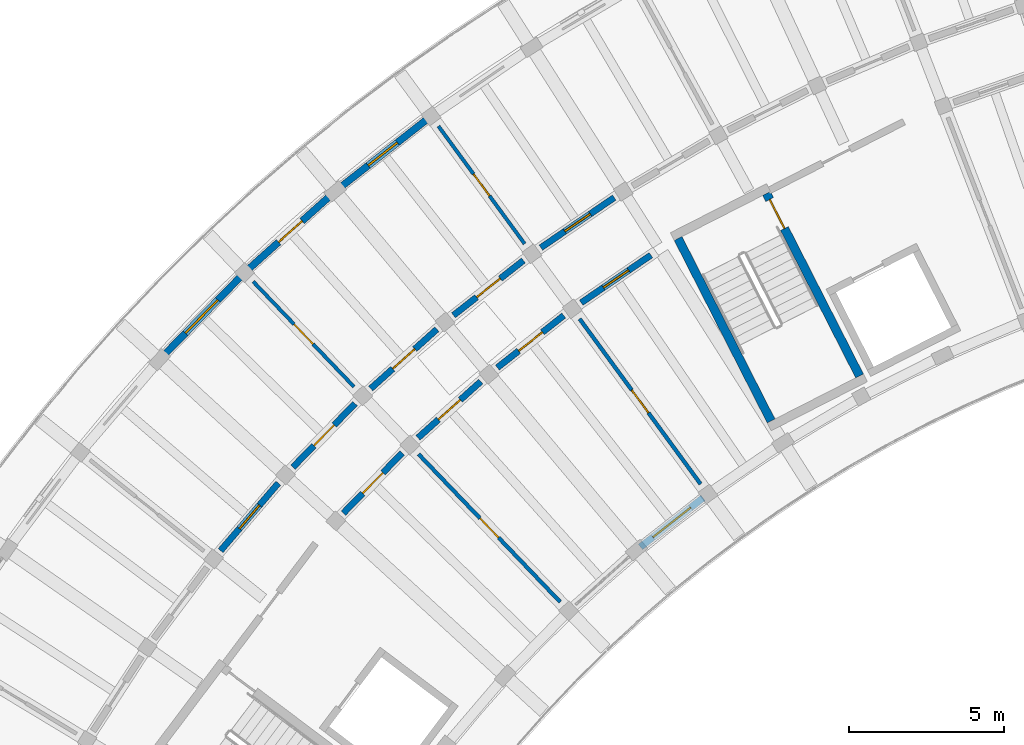
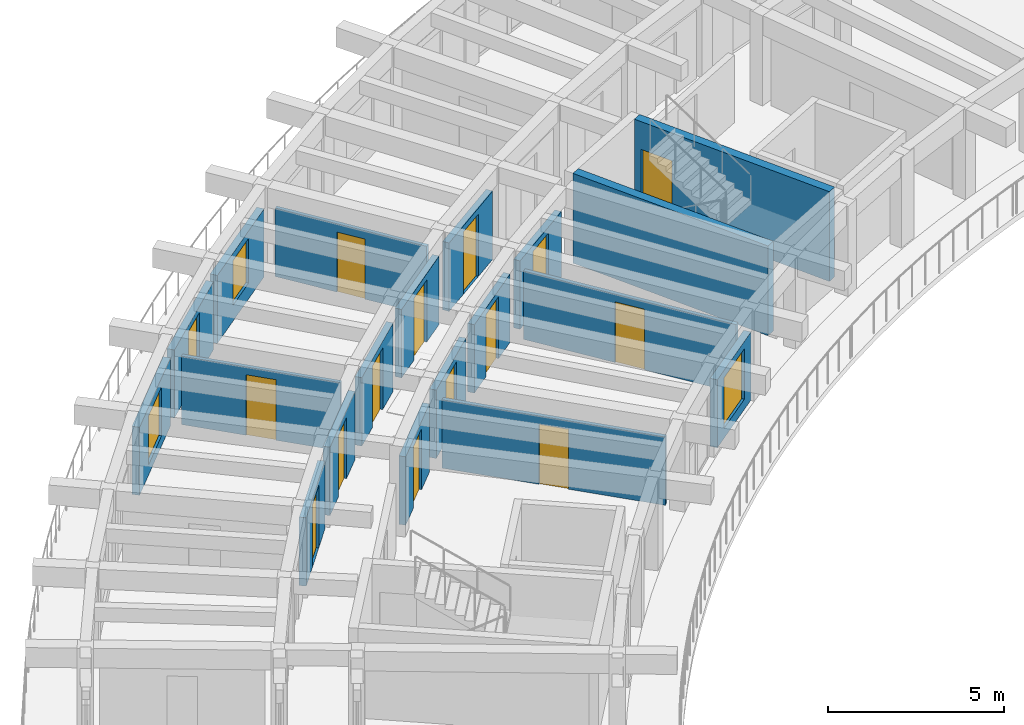
# One storey, part 10 of 19: 19 walls, 15 doors, 3 windows, 18 openings.
"""IFC4 building model written with IfcOpenShell, lengths in metres."""

from ifc_helpers import new_model, si_unit, direction, frame, frame_2d, origin, place, context, subcontext, project, spatial, rectangle, extrude, material, layer, layer_set, type_object, element, fill, save


model = new_model("IFC4")

# Units and contexts
model_context = context("Model", 3, precision=1e-05, world=origin(), true_north=direction((0.0, 1.0)))
body_context = subcontext(model_context, "Body", "Model", "MODEL_VIEW")
ifc_project = project(units=[si_unit("LENGTHUNIT", "METRE"), si_unit("AREAUNIT", "SQUARE_METRE"), si_unit("VOLUMEUNIT", "CUBIC_METRE"), si_unit("PLANEANGLEUNIT", "RADIAN"), si_unit("MASSUNIT", "GRAM", prefix="KILO")], contexts=[model_context])

# Site, building, storey
site_placement = place(None, origin())
site = spatial("IfcSite", under=ifc_project, at=site_placement, CompositionType="ELEMENT")
building_placement = place(site_placement, origin())
building = spatial("IfcBuilding", under=site, at=building_placement, Name="Tanwirah Colonnade Gardens", CompositionType="ELEMENT")
storey_placement = place(building_placement, frame((0.0, 0.0, 45.800048828125)))
storey = spatial("IfcBuildingStorey", under=building, at=storey_placement, Name="L13", CompositionType="ELEMENT", Elevation=45.800048828125)

# Wall, opening, window
ifc_material_1 = material(Name="Limestone architectural precast concrete C40/50", Category="masonry")
ifc_layer_1 = layer(ifc_material_1, 0.22509765625)
ifc_layer_set_1 = layer_set([ifc_layer_1], Name="Limestone architectural precast concrete C40/50")
wall_type_1 = type_object("IfcWallType", Name="EW-PC225", PredefinedType="SOLIDWALL", material=ifc_layer_set_1)
wall_1_placement = place(storey_placement, frame((29.6533203125, 108.117431640625, 0.0), z_axis=(0.0, 0.0, 1.0), x_axis=(-0.786786822338, -0.617224834396, 0.0)))
wall_1 = element("IfcWall", 1, at=wall_1_placement, inside=storey, type_object=wall_type_1, Name="Block A L13 OUT Precast Facade Wall 8", PredefinedType="SOLIDWALL", context=body_context, shape_type="SweptSolid", body=[
    extrude(rectangle(XDim=3.560791015625, YDim=0.22509765625, at=frame_2d((1.7802734375, 0.0))), origin(), (0.0, 0.0, 1.0), 2.35498046875),
])
opening_1_placement = place(wall_1_placement, frame((1.180419921875, 0.0, 0.550048828125)))
opening_1 = element("IfcOpeningElement", 2, at=opening_1_placement, cuts=wall_1, Name="Opening WIN-T02", PredefinedType="OPENING", context=body_context, shape_type="SweptSolid", body=[
    extrude(rectangle(XDim=1.199951171875, YDim=1.550048828125, at=frame_2d((0.60009765625, 0.77490234375))), frame((0.0, 0.12255859375, 0.0), z_axis=(0.0, -1.0, 0.0), x_axis=(1.0, 0.0, 0.0)), (0.0, 0.0, 1.0), 0.2451171875),
])
ifc_material_2 = material(Name="Thermally broken bronze aluminium and solar low-E double glazing", Category="aluminium")
window_type_1 = type_object("IfcWindowType", Name="WIN-T02", PartitioningType="SINGLE_PANEL", PredefinedType="WINDOW", material=ifc_material_2)
window_1_placement = place(opening_1_placement, origin())
window_1 = element("IfcWindow", 3, at=window_1_placement, inside=storey, type_object=window_type_1, Name="Facade window A-L13-OUT-08", OverallHeight=1.550048828125, OverallWidth=1.199951171875, PartitioningType="SINGLE_PANEL", PredefinedType="WINDOW", context=body_context, shape_type="SweptSolid", body=[
    extrude(rectangle(XDim=1.199951171875, YDim=1.550048828125, at=frame_2d((0.60009765625, 0.77490234375))), frame((0.0, 0.030029296875, 0.0), z_axis=(0.0, -1.0, 0.0), x_axis=(1.0, 0.0, 0.0)), (0.0, 0.0, 1.0), 0.06005859375),
])
fill(opening_1, window_1)

wall_2_placement = place(storey_placement, frame((38.576416015625, 95.935791015625, 0.0), z_axis=(0.0, 0.0, 1.0), x_axis=(-0.786839825132, -0.617157264874, 0.0)))
wall_2 = element("IfcWall", 4, at=wall_2_placement, inside=storey, type_object=wall_type_1, Name="Block A L13 IN Precast Facade Wall 8", PredefinedType="SOLIDWALL", context=body_context, shape_type="SweptSolid", body=[
    extrude(rectangle(XDim=2.5654296875, YDim=0.22509765625, at=frame_2d((1.28271484375, 0.0))), origin(), (0.0, 0.0, 1.0), 2.35498046875),
])
opening_2_placement = place(wall_2_placement, frame((0.507568359375, 0.0, 0.35009765625)))
opening_2 = element("IfcOpeningElement", 5, at=opening_2_placement, cuts=wall_2, Name="Opening WIN-T09", PredefinedType="OPENING", context=body_context, shape_type="SweptSolid", body=[
    extrude(rectangle(XDim=1.550048828125, YDim=1.75, at=frame_2d((0.77490234375, 0.875))), frame((0.0, 0.12255859375, 0.0), z_axis=(0.0, -1.0, 0.0), x_axis=(1.0, 0.0, 0.0)), (0.0, 0.0, 1.0), 0.2451171875),
])
window_type_2 = type_object("IfcWindowType", Name="WIN-T09", PartitioningType="DOUBLE_PANEL_VERTICAL", PredefinedType="WINDOW", material=ifc_material_2)
window_2_placement = place(opening_2_placement, origin())
window_2 = element("IfcWindow", 6, at=window_2_placement, inside=storey, type_object=window_type_2, Name="Facade window A-L13-IN-08", OverallHeight=1.75, OverallWidth=1.550048828125, PartitioningType="SINGLE_PANEL", PredefinedType="WINDOW", context=body_context, shape_type="SweptSolid", body=[
    extrude(rectangle(XDim=1.550048828125, YDim=1.75, at=frame_2d((0.77490234375, 0.875))), frame((0.0, 0.030029296875, 0.0), z_axis=(0.0, -1.0, 0.0), x_axis=(1.0, 0.0, 0.0)), (0.0, 0.0, 1.0), 0.06005859375),
])
fill(opening_2, window_2)

# Wall, opening, door
wall_3_placement = place(storey_placement, frame((26.59912109375, 105.707763671875, 0.0), z_axis=(0.0, 0.0, 1.0), x_axis=(-0.744428403578, -0.667702292902, 0.0)))
wall_3 = element("IfcWall", 7, at=wall_3_placement, inside=storey, type_object=wall_type_1, Name="Block A L13 OUT Precast Facade Wall 9", PredefinedType="SOLIDWALL", context=body_context, shape_type="SweptSolid", body=[
    extrude(rectangle(XDim=3.560546875, YDim=0.22509765625, at=frame_2d((1.7802734375, 0.0))), origin(), (0.0, 0.0, 1.0), 2.35498046875),
])
opening_3_placement = place(wall_3_placement, frame((1.2705078125, 0.0, 0.0)))
opening_3 = element("IfcOpeningElement", 8, at=opening_3_placement, cuts=wall_3, Name="Opening L13-ED062", PredefinedType="OPENING", context=body_context, shape_type="SweptSolid", body=[
    extrude(rectangle(XDim=1.02001953125, YDim=2.139892578125, at=frame_2d((0.510009765625, 1.06982421875))), frame((0.0, 0.12255859375, 0.0), z_axis=(0.0, -1.0, 0.0), x_axis=(1.0, 0.0, 0.0)), (0.0, 0.0, 1.0), 0.2451171875),
])
ifc_material_3 = material(Name="Bronze aluminium glazed balcony door", Category="aluminium")
door_type_1 = type_object("IfcDoorType", Name="ED-BAL102", OperationType="NOTDEFINED", PredefinedType="DOOR", material=ifc_material_3)
door_1_placement = place(opening_3_placement, origin())
door_1 = element("IfcDoor", 9, at=door_1_placement, inside=storey, type_object=door_type_1, Name="Balcony glazed door L13-ED062", OperationType="SINGLE_SWING_LEFT", OverallHeight=2.139892578125, OverallWidth=1.02001953125, PredefinedType="DOOR", context=body_context, shape_type="SweptSolid", body=[
    extrude(rectangle(XDim=1.02001953125, YDim=2.139892578125, at=frame_2d((0.510009765625, 1.06982421875))), frame((0.0, 0.02490234375, 0.0), z_axis=(0.0, -1.0, 0.0), x_axis=(1.0, 0.0, 0.0)), (0.0, 0.0, 1.0), 0.050048828125),
])
fill(opening_3, door_1)

# Wall, opening, window
wall_4_placement = place(storey_placement, frame((23.65966796875, 103.0537109375, 0.0), z_axis=(0.0, 0.0, 1.0), x_axis=(-0.698830915019, -0.715286902029, 0.0)))
wall_4 = element("IfcWall", 10, at=wall_4_placement, inside=storey, type_object=wall_type_1, Name="Block A L13 OUT Precast Facade Wall 10", PredefinedType="SOLIDWALL", context=body_context, shape_type="SweptSolid", body=[
    extrude(rectangle(XDim=3.560546875, YDim=0.22509765625, at=frame_2d((1.7802734375, 0.0))), origin(), (0.0, 0.0, 1.0), 2.35498046875),
])
opening_4_placement = place(wall_4_placement, frame((1.030517578125, 0.0, 0.35009765625)))
opening_4 = element("IfcOpeningElement", 11, at=opening_4_placement, cuts=wall_4, Name="Opening WIN-T08", PredefinedType="OPENING", context=body_context, shape_type="SweptSolid", body=[
    extrude(rectangle(XDim=1.5, YDim=1.699951171875, at=frame_2d((0.75, 0.85009765625))), frame((0.0, 0.12255859375, 0.0), z_axis=(0.0, -1.0, 0.0), x_axis=(1.0, 0.0, 0.0)), (0.0, 0.0, 1.0), 0.2451171875),
])
window_type_3 = type_object("IfcWindowType", Name="WIN-T08", PartitioningType="DOUBLE_PANEL_VERTICAL", PredefinedType="WINDOW", material=ifc_material_2)
window_3_placement = place(opening_4_placement, origin())
window_3 = element("IfcWindow", 12, at=window_3_placement, inside=storey, type_object=window_type_3, Name="Facade window A-L13-OUT-10", OverallHeight=1.699951171875, OverallWidth=1.5, PartitioningType="SINGLE_PANEL", PredefinedType="WINDOW", context=body_context, shape_type="SweptSolid", body=[
    extrude(rectangle(XDim=1.5, YDim=1.699951171875, at=frame_2d((0.75, 0.85009765625))), frame((0.0, 0.030029296875, 0.0), z_axis=(0.0, -1.0, 0.0), x_axis=(1.0, 0.0, 0.0)), (0.0, 0.0, 1.0), 0.06005859375),
])
fill(opening_4, window_3)

# Wall, opening, door
ifc_material_4 = material(Name="Precast concrete C40/50", Category="concrete")
ifc_layer_2 = layer(ifc_material_4, 0.205078125)
ifc_layer_set_2 = layer_set([ifc_layer_2], Name="Precast concrete C40/50")
wall_type_2 = type_object("IfcWallType", Name="IW-CORR205", PredefinedType="PARTITIONING", material=ifc_layer_set_2)
wall_5_placement = place(storey_placement, frame((35.714111328125, 105.615966796875, 0.0), z_axis=(0.0, 0.0, 1.0), x_axis=(-0.825779671787, -0.563992848947, 0.0)))
wall_5 = element("IfcWall", 13, at=wall_5_placement, inside=storey, type_object=wall_type_2, Name="Block A L13 OUT Corridor Wall 7", PredefinedType="PARTITIONING", context=body_context, shape_type="SweptSolid", body=[
    extrude(rectangle(XDim=2.863037109375, YDim=0.205078125, at=frame_2d((1.431640625, 0.0))), origin(), (0.0, 0.0, 1.0), 2.369873046875),
])
opening_5_placement = place(wall_5_placement, frame((0.9365234375, 0.0, 0.0)))
opening_5 = element("IfcOpeningElement", 14, at=opening_5_placement, cuts=wall_5, Name="Opening L13-AD745", PredefinedType="OPENING", context=body_context, shape_type="SweptSolid", body=[
    extrude(rectangle(XDim=0.989990234375, YDim=2.159912109375, at=frame_2d((0.4951171875, 1.080078125))), frame((0.0, 0.112548828125, 0.0), z_axis=(0.0, -1.0, 0.0), x_axis=(1.0, 0.0, 0.0)), (0.0, 0.0, 1.0), 0.22509765625),
])
ifc_material_5 = material(Name="Solid oak fire-resisting apartment entrance door")
door_type_2 = type_object("IfcDoorType", Name="ID-FLT099", OperationType="NOTDEFINED", PredefinedType="DOOR", material=ifc_material_5)
door_2_placement = place(opening_5_placement, origin())
door_2 = element("IfcDoor", 15, at=door_2_placement, inside=storey, type_object=door_type_2, Name="Apartment corridor door L13-AD745", OperationType="SINGLE_SWING_LEFT", OverallHeight=2.159912109375, OverallWidth=0.989990234375, PredefinedType="DOOR", context=body_context, shape_type="SweptSolid", body=[
    extrude(rectangle(XDim=0.989990234375, YDim=2.159912109375, at=frame_2d((0.4951171875, 1.080078125))), frame((0.0, 0.02490234375, 0.0), z_axis=(0.0, -1.0, 0.0), x_axis=(1.0, 0.0, 0.0)), (0.0, 0.0, 1.0), 0.050048828125),
])
fill(opening_5, door_2)

wall_6_placement = place(storey_placement, frame((36.89453125, 103.759521484375, 0.0), z_axis=(0.0, 0.0, 1.0), x_axis=(-0.825752009056, -0.56403334967, 0.0)))
wall_6 = element("IfcWall", 16, at=wall_6_placement, inside=storey, type_object=wall_type_2, Name="Block A L13 IN Corridor Wall 7", PredefinedType="PARTITIONING", context=body_context, shape_type="SweptSolid", body=[
    extrude(rectangle(XDim=2.71826171875, YDim=0.205078125, at=frame_2d((1.359130859375, 0.0))), origin(), (0.0, 0.0, 1.0), 2.369873046875),
])
opening_6_placement = place(wall_6_placement, frame((0.864013671875, 0.0, 0.0)))
opening_6 = element("IfcOpeningElement", 17, at=opening_6_placement, cuts=wall_6, Name="Opening L13-AD746", PredefinedType="OPENING", context=body_context, shape_type="SweptSolid", body=[
    extrude(rectangle(XDim=0.989990234375, YDim=2.159912109375, at=frame_2d((0.4951171875, 1.080078125))), frame((0.0, 0.112548828125, 0.0), z_axis=(0.0, -1.0, 0.0), x_axis=(1.0, 0.0, 0.0)), (0.0, 0.0, 1.0), 0.22509765625),
])
door_3_placement = place(opening_6_placement, origin())
door_3 = element("IfcDoor", 18, at=door_3_placement, inside=storey, type_object=door_type_2, Name="Apartment corridor door L13-AD746", OperationType="SINGLE_SWING_RIGHT", OverallHeight=2.159912109375, OverallWidth=0.989990234375, PredefinedType="DOOR", context=body_context, shape_type="SweptSolid", body=[
    extrude(rectangle(XDim=0.989990234375, YDim=2.159912109375, at=frame_2d((0.4951171875, 1.080078125))), frame((0.0, 0.02490234375, 0.0), z_axis=(0.0, -1.0, 0.0), x_axis=(1.0, 0.0, 0.0)), (0.0, 0.0, 1.0), 0.050048828125),
])
fill(opening_6, door_3)

wall_7_placement = place(storey_placement, frame((32.785400390625, 103.587890625, 0.0), z_axis=(0.0, 0.0, 1.0), x_axis=(-0.786806323554, -0.617199975061, 0.0)))
wall_7 = element("IfcWall", 19, at=wall_7_placement, inside=storey, type_object=wall_type_2, Name="Block A L13 OUT Corridor Wall 8", PredefinedType="PARTITIONING", context=body_context, shape_type="SweptSolid", body=[
    extrude(rectangle(XDim=2.863037109375, YDim=0.205078125, at=frame_2d((1.431640625, 0.0))), origin(), (0.0, 0.0, 1.0), 2.369873046875),
])
opening_7_placement = place(wall_7_placement, frame((0.946533203125, 0.0, 0.0)))
opening_7 = element("IfcOpeningElement", 20, at=opening_7_placement, cuts=wall_7, Name="Opening L13-AD749", PredefinedType="OPENING", context=body_context, shape_type="SweptSolid", body=[
    extrude(rectangle(XDim=0.969970703125, YDim=2.14990234375, at=frame_2d((0.48486328125, 1.074951171875))), frame((0.0, 0.112548828125, 0.0), z_axis=(0.0, -1.0, 0.0), x_axis=(1.0, 0.0, 0.0)), (0.0, 0.0, 1.0), 0.22509765625),
])
door_type_3 = type_object("IfcDoorType", Name="ID-FLT097", OperationType="NOTDEFINED", PredefinedType="DOOR", material=ifc_material_5)
door_4_placement = place(opening_7_placement, origin())
door_4 = element("IfcDoor", 21, at=door_4_placement, inside=storey, type_object=door_type_3, Name="Apartment corridor door L13-AD749", OperationType="SINGLE_SWING_RIGHT", OverallHeight=2.14990234375, OverallWidth=0.969970703125, PredefinedType="DOOR", context=body_context, shape_type="SweptSolid", body=[
    extrude(rectangle(XDim=0.969970703125, YDim=2.14990234375, at=frame_2d((0.48486328125, 1.074951171875))), frame((0.0, 0.02490234375, 0.0), z_axis=(0.0, -1.0, 0.0), x_axis=(1.0, 0.0, 0.0)), (0.0, 0.0, 1.0), 0.050048828125),
])
fill(opening_7, door_4)

wall_8_placement = place(storey_placement, frame((34.08544921875, 101.81298828125, 0.0), z_axis=(0.0, 0.0, 1.0), x_axis=(-0.786835457019, -0.617162833924, 0.0)))
wall_8 = element("IfcWall", 22, at=wall_8_placement, inside=storey, type_object=wall_type_2, Name="Block A L13 IN Corridor Wall 8", PredefinedType="PARTITIONING", context=body_context, shape_type="SweptSolid", body=[
    extrude(rectangle(XDim=2.718017578125, YDim=0.205078125, at=frame_2d((1.35888671875, 0.0))), origin(), (0.0, 0.0, 1.0), 2.369873046875),
])
opening_8_placement = place(wall_8_placement, frame((0.8740234375, 0.0, 0.0)))
opening_8 = element("IfcOpeningElement", 23, at=opening_8_placement, cuts=wall_8, Name="Opening L13-AD750", PredefinedType="OPENING", context=body_context, shape_type="SweptSolid", body=[
    extrude(rectangle(XDim=0.969970703125, YDim=2.14990234375, at=frame_2d((0.48486328125, 1.074951171875))), frame((0.0, 0.112548828125, 0.0), z_axis=(0.0, -1.0, 0.0), x_axis=(1.0, 0.0, 0.0)), (0.0, 0.0, 1.0), 0.22509765625),
])
door_5_placement = place(opening_8_placement, origin())
door_5 = element("IfcDoor", 24, at=door_5_placement, inside=storey, type_object=door_type_3, Name="Apartment corridor door L13-AD750", OperationType="SINGLE_SWING_LEFT", OverallHeight=2.14990234375, OverallWidth=0.969970703125, PredefinedType="DOOR", context=body_context, shape_type="SweptSolid", body=[
    extrude(rectangle(XDim=0.969970703125, YDim=2.14990234375, at=frame_2d((0.48486328125, 1.074951171875))), frame((0.0, 0.02490234375, 0.0), z_axis=(0.0, -1.0, 0.0), x_axis=(1.0, 0.0, 0.0)), (0.0, 0.0, 1.0), 0.050048828125),
])
fill(opening_8, door_5)

wall_9_placement = place(storey_placement, frame((29.996826171875, 101.37109375, 0.0), z_axis=(0.0, 0.0, 1.0), x_axis=(-0.744433521088, -0.667696587291, 0.0)))
wall_9 = element("IfcWall", 25, at=wall_9_placement, inside=storey, type_object=wall_type_2, Name="Block A L13 OUT Corridor Wall 9", PredefinedType="PARTITIONING", context=body_context, shape_type="SweptSolid", body=[
    extrude(rectangle(XDim=2.86328125, YDim=0.205078125, at=frame_2d((1.431640625, 0.0))), origin(), (0.0, 0.0, 1.0), 2.369873046875),
])
opening_9_placement = place(wall_9_placement, frame((0.95654296875, 0.0, 0.0)))
opening_9 = element("IfcOpeningElement", 26, at=opening_9_placement, cuts=wall_9, Name="Opening L13-AD751", PredefinedType="OPENING", context=body_context, shape_type="SweptSolid", body=[
    extrude(rectangle(XDim=0.949951171875, YDim=2.1298828125, at=frame_2d((0.47509765625, 1.06494140625))), frame((0.0, 0.112548828125, 0.0), z_axis=(0.0, -1.0, 0.0), x_axis=(1.0, 0.0, 0.0)), (0.0, 0.0, 1.0), 0.22509765625),
])
door_type_4 = type_object("IfcDoorType", Name="ID-FLT095", OperationType="NOTDEFINED", PredefinedType="DOOR", material=ifc_material_5)
door_6_placement = place(opening_9_placement, origin())
door_6 = element("IfcDoor", 27, at=door_6_placement, inside=storey, type_object=door_type_4, Name="Apartment corridor door L13-AD751", OperationType="SINGLE_SWING_LEFT", OverallHeight=2.1298828125, OverallWidth=0.949951171875, PredefinedType="DOOR", context=body_context, shape_type="SweptSolid", body=[
    extrude(rectangle(XDim=0.949951171875, YDim=2.1298828125, at=frame_2d((0.47509765625, 1.06494140625))), frame((0.0, 0.02490234375, 0.0), z_axis=(0.0, -1.0, 0.0), x_axis=(1.0, 0.0, 0.0)), (0.0, 0.0, 1.0), 0.050048828125),
])
fill(opening_9, door_6)

wall_10_placement = place(storey_placement, frame((31.410888671875, 99.685791015625, 0.0), z_axis=(0.0, 0.0, 1.0), x_axis=(-0.744418559135, -0.667713268413, 0.0)))
wall_10 = element("IfcWall", 28, at=wall_10_placement, inside=storey, type_object=wall_type_2, Name="Block A L13 IN Corridor Wall 9", PredefinedType="PARTITIONING", context=body_context, shape_type="SweptSolid", body=[
    extrude(rectangle(XDim=2.71826171875, YDim=0.205078125, at=frame_2d((1.359130859375, 0.0))), origin(), (0.0, 0.0, 1.0), 2.369873046875),
])
opening_10_placement = place(wall_10_placement, frame((0.884033203125, 0.0, 0.0)))
opening_10 = element("IfcOpeningElement", 29, at=opening_10_placement, cuts=wall_10, Name="Opening L13-AD752", PredefinedType="OPENING", context=body_context, shape_type="SweptSolid", body=[
    extrude(rectangle(XDim=0.949951171875, YDim=2.1298828125, at=frame_2d((0.47509765625, 1.06494140625))), frame((0.0, 0.112548828125, 0.0), z_axis=(0.0, -1.0, 0.0), x_axis=(1.0, 0.0, 0.0)), (0.0, 0.0, 1.0), 0.22509765625),
])
door_7_placement = place(opening_10_placement, origin())
door_7 = element("IfcDoor", 30, at=door_7_placement, inside=storey, type_object=door_type_4, Name="Apartment corridor door L13-AD752", OperationType="SINGLE_SWING_RIGHT", OverallHeight=2.1298828125, OverallWidth=0.949951171875, PredefinedType="DOOR", context=body_context, shape_type="SweptSolid", body=[
    extrude(rectangle(XDim=0.949951171875, YDim=2.1298828125, at=frame_2d((0.47509765625, 1.06494140625))), frame((0.0, 0.02490234375, 0.0), z_axis=(0.0, -1.0, 0.0), x_axis=(1.0, 0.0, 0.0)), (0.0, 0.0, 1.0), 0.050048828125),
])
fill(opening_10, door_7)

wall_11_placement = place(storey_placement, frame((27.360107421875, 98.975341796875, 0.0), z_axis=(0.0, 0.0, 1.0), x_axis=(-0.698787219683, -0.715329589496, 0.0)))
wall_11 = element("IfcWall", 31, at=wall_11_placement, inside=storey, type_object=wall_type_2, Name="Block A L13 OUT Corridor Wall 10", PredefinedType="PARTITIONING", context=body_context, shape_type="SweptSolid", body=[
    extrude(rectangle(XDim=2.863037109375, YDim=0.205078125, at=frame_2d((1.431640625, 0.0))), origin(), (0.0, 0.0, 1.0), 2.369873046875),
])
opening_11_placement = place(wall_11_placement, frame((0.966552734375, 0.0, 0.0)))
opening_11 = element("IfcOpeningElement", 32, at=opening_11_placement, cuts=wall_11, Name="Opening L13-AD755", PredefinedType="OPENING", context=body_context, shape_type="SweptSolid", body=[
    extrude(rectangle(XDim=0.929931640625, YDim=2.1201171875, at=frame_2d((0.46484375, 1.06005859375))), frame((0.0, 0.112548828125, 0.0), z_axis=(0.0, -1.0, 0.0), x_axis=(1.0, 0.0, 0.0)), (0.0, 0.0, 1.0), 0.22509765625),
])
door_type_5 = type_object("IfcDoorType", Name="ID-FLT093", OperationType="NOTDEFINED", PredefinedType="DOOR", material=ifc_material_5)
door_8_placement = place(opening_11_placement, origin())
door_8 = element("IfcDoor", 33, at=door_8_placement, inside=storey, type_object=door_type_5, Name="Apartment corridor door L13-AD755", OperationType="SINGLE_SWING_RIGHT", OverallHeight=2.1201171875, OverallWidth=0.929931640625, PredefinedType="DOOR", context=body_context, shape_type="SweptSolid", body=[
    extrude(rectangle(XDim=0.929931640625, YDim=2.1201171875, at=frame_2d((0.46484375, 1.06005859375))), frame((0.0, 0.02490234375, 0.0), z_axis=(0.0, -1.0, 0.0), x_axis=(1.0, 0.0, 0.0)), (0.0, 0.0, 1.0), 0.050048828125),
])
fill(opening_11, door_8)

wall_12_placement = place(storey_placement, frame((28.88232421875, 97.38671875, 0.0), z_axis=(0.0, 0.0, 1.0), x_axis=(-0.698840007829, -0.715278018296, 0.0)))
wall_12 = element("IfcWall", 34, at=wall_12_placement, inside=storey, type_object=wall_type_2, Name="Block A L13 IN Corridor Wall 10", PredefinedType="PARTITIONING", context=body_context, shape_type="SweptSolid", body=[
    extrude(rectangle(XDim=2.718017578125, YDim=0.205078125, at=frame_2d((1.35888671875, 0.0))), origin(), (0.0, 0.0, 1.0), 2.369873046875),
])
opening_12_placement = place(wall_12_placement, frame((0.89404296875, 0.0, 0.0)))
opening_12 = element("IfcOpeningElement", 35, at=opening_12_placement, cuts=wall_12, Name="Opening L13-AD756", PredefinedType="OPENING", context=body_context, shape_type="SweptSolid", body=[
    extrude(rectangle(XDim=0.929931640625, YDim=2.1201171875, at=frame_2d((0.46484375, 1.06005859375))), frame((0.0, 0.112548828125, 0.0), z_axis=(0.0, -1.0, 0.0), x_axis=(1.0, 0.0, 0.0)), (0.0, 0.0, 1.0), 0.22509765625),
])
door_9_placement = place(opening_12_placement, origin())
door_9 = element("IfcDoor", 36, at=door_9_placement, inside=storey, type_object=door_type_5, Name="Apartment corridor door L13-AD756", OperationType="SINGLE_SWING_LEFT", OverallHeight=2.1201171875, OverallWidth=0.929931640625, PredefinedType="DOOR", context=body_context, shape_type="SweptSolid", body=[
    extrude(rectangle(XDim=0.929931640625, YDim=2.1201171875, at=frame_2d((0.46484375, 1.06005859375))), frame((0.0, 0.02490234375, 0.0), z_axis=(0.0, -1.0, 0.0), x_axis=(1.0, 0.0, 0.0)), (0.0, 0.0, 1.0), 0.050048828125),
])
fill(opening_12, door_9)

wall_13_placement = place(storey_placement, frame((24.88720703125, 96.4111328125, 0.0), z_axis=(0.0, 0.0, 1.0), x_axis=(-0.650194272684, -0.759767996015, 0.0)))
wall_13 = element("IfcWall", 37, at=wall_13_placement, inside=storey, type_object=wall_type_2, Name="Block A L13 OUT Corridor Wall 11", PredefinedType="PARTITIONING", context=body_context, shape_type="SweptSolid", body=[
    extrude(rectangle(XDim=2.863037109375, YDim=0.205078125, at=frame_2d((1.431640625, 0.0))), origin(), (0.0, 0.0, 1.0), 2.369873046875),
])
opening_13_placement = place(wall_13_placement, frame((0.9365234375, 0.0, 0.0)))
opening_13 = element("IfcOpeningElement", 38, at=opening_13_placement, cuts=wall_13, Name="Opening L13-AD757", PredefinedType="OPENING", context=body_context, shape_type="SweptSolid", body=[
    extrude(rectangle(XDim=0.989990234375, YDim=2.159912109375, at=frame_2d((0.4951171875, 1.080078125))), frame((0.0, 0.112548828125, 0.0), z_axis=(0.0, -1.0, 0.0), x_axis=(1.0, 0.0, 0.0)), (0.0, 0.0, 1.0), 0.22509765625),
])
door_10_placement = place(opening_13_placement, origin())
door_10 = element("IfcDoor", 39, at=door_10_placement, inside=storey, type_object=door_type_2, Name="Apartment corridor door L13-AD757", OperationType="SINGLE_SWING_LEFT", OverallHeight=2.159912109375, OverallWidth=0.989990234375, PredefinedType="DOOR", context=body_context, shape_type="SweptSolid", body=[
    extrude(rectangle(XDim=0.989990234375, YDim=2.159912109375, at=frame_2d((0.4951171875, 1.080078125))), frame((0.0, 0.02490234375, 0.0), z_axis=(0.0, -1.0, 0.0), x_axis=(1.0, 0.0, 0.0)), (0.0, 0.0, 1.0), 0.050048828125),
])
fill(opening_13, door_10)

ifc_material_6 = material(Name="Acoustic gypsum stud partition")
ifc_layer_3 = layer(ifc_material_6, 0.114990234375)
ifc_layer_set_3 = layer_set([ifc_layer_3], Name="Acoustic gypsum stud partition")
wall_type_3 = type_object("IfcWallType", Name="IW-INT115", PredefinedType="PARTITIONING", material=ifc_layer_set_3)
wall_14_placement = place(storey_placement, frame((32.824462890625, 104.12646484375, 0.0), z_axis=(0.0, 0.0, 1.0), x_axis=(-0.590910940129, 0.806736797745, 0.0)))
wall_14 = element("IfcWall", 40, at=wall_14_placement, inside=storey, type_object=wall_type_3, Name="Block A L13 Radial Partition 7", PredefinedType="PARTITIONING", context=body_context, shape_type="SweptSolid", body=[
    extrude(rectangle(XDim=4.7001953125, YDim=0.114990234375, at=frame_2d((2.35009765625, 0.0))), origin(), (0.0, 0.0, 1.0), 2.369873046875),
])
opening_14_placement = place(wall_14_placement, frame((1.9150390625, 0.0, 0.0)))
opening_14 = element("IfcOpeningElement", 41, at=opening_14_placement, cuts=wall_14, Name="Opening L13-RD747", PredefinedType="OPENING", context=body_context, shape_type="SweptSolid", body=[
    extrude(rectangle(XDim=0.8701171875, YDim=2.080078125, at=frame_2d((0.43505859375, 1.0400390625))), frame((0.0, 0.0673828125, 0.0), z_axis=(0.0, -1.0, 0.0), x_axis=(1.0, 0.0, 0.0)), (0.0, 0.0, 1.0), 0.135009765625),
])
ifc_material_7 = material(Name="Painted hardwood study door", Category="wood")
door_type_6 = type_object("IfcDoorType", Name="ID-RM087", OperationType="NOTDEFINED", PredefinedType="DOOR", material=ifc_material_7)
door_11_placement = place(opening_14_placement, origin())
door_11 = element("IfcDoor", 42, at=door_11_placement, inside=storey, type_object=door_type_6, Name="Internal apartment door L13-RD747", OperationType="SINGLE_SWING_LEFT", OverallHeight=2.080078125, OverallWidth=0.8701171875, PredefinedType="DOOR", context=body_context, shape_type="SweptSolid", body=[
    extrude(rectangle(XDim=0.8701171875, YDim=2.080078125, at=frame_2d((0.43505859375, 1.0400390625))), frame((0.0, 0.02490234375, 0.0), z_axis=(0.0, -1.0, 0.0), x_axis=(1.0, 0.0, 0.0)), (0.0, 0.0, 1.0), 0.050048828125),
])
fill(opening_14, door_11)

wall_15_placement = place(storey_placement, frame((27.328125, 99.514404296875, 0.0), z_axis=(0.0, 0.0, 1.0), x_axis=(-0.691882799356, 0.722009828157, 0.0)))
wall_15 = element("IfcWall", 43, at=wall_15_placement, inside=storey, type_object=wall_type_3, Name="Block A L13 Radial Partition 9", PredefinedType="PARTITIONING", context=body_context, shape_type="SweptSolid", body=[
    extrude(rectangle(XDim=4.7001953125, YDim=0.114990234375, at=frame_2d((2.35009765625, 0.0))), origin(), (0.0, 0.0, 1.0), 2.369873046875),
])
opening_15_placement = place(wall_15_placement, frame((1.905029296875, 0.0, 0.0)))
opening_15 = element("IfcOpeningElement", 44, at=opening_15_placement, cuts=wall_15, Name="Opening L13-RD753", PredefinedType="OPENING", context=body_context, shape_type="SweptSolid", body=[
    extrude(rectangle(XDim=0.889892578125, YDim=2.10009765625, at=frame_2d((0.44482421875, 1.050048828125))), frame((0.0, 0.0673828125, 0.0), z_axis=(0.0, -1.0, 0.0), x_axis=(1.0, 0.0, 0.0)), (0.0, 0.0, 1.0), 0.135009765625),
])
ifc_material_8 = material(Name="Painted hardwood bedroom door", Category="wood")
door_type_7 = type_object("IfcDoorType", Name="ID-RM089", OperationType="NOTDEFINED", PredefinedType="DOOR", material=ifc_material_8)
door_12_placement = place(opening_15_placement, origin())
door_12 = element("IfcDoor", 45, at=door_12_placement, inside=storey, type_object=door_type_7, Name="Internal apartment door L13-RD753", OperationType="SINGLE_SWING_LEFT", OverallHeight=2.10009765625, OverallWidth=0.889892578125, PredefinedType="DOOR", context=body_context, shape_type="SweptSolid", body=[
    extrude(rectangle(XDim=0.889892578125, YDim=2.10009765625, at=frame_2d((0.44482421875, 1.050048828125))), frame((0.0, 0.02490234375, 0.0), z_axis=(0.0, -1.0, 0.0), x_axis=(1.0, 0.0, 0.0)), (0.0, 0.0, 1.0), 0.050048828125),
])
fill(opening_15, door_12)

ifc_material_9 = material(Name="Moisture-resistant gypsum stud partition")
ifc_layer_4 = layer(ifc_material_9, 0.125)
ifc_layer_set_4 = layer_set([ifc_layer_4], Name="Moisture-resistant gypsum stud partition")
wall_type_4 = type_object("IfcWallType", Name="IW-INT125", PredefinedType="PARTITIONING", material=ifc_layer_set_4)
wall_16_placement = place(storey_placement, frame((38.497314453125, 96.3818359375, 0.0), z_axis=(0.0, 0.0, 1.0), x_axis=(-0.590924179316, 0.806727100263, 0.0)))
wall_16 = element("IfcWall", 46, at=wall_16_placement, inside=storey, type_object=wall_type_4, Name="Block A L13 Inner Radial Partition 7", PredefinedType="PARTITIONING", context=body_context, shape_type="SweptSolid", body=[
    extrude(rectangle(XDim=6.60009765625, YDim=0.125, at=frame_2d((3.300048828125, 0.0))), origin(), (0.0, 0.0, 1.0), 2.369873046875),
])
opening_16_placement = place(wall_16_placement, frame((2.844970703125, 0.0, 0.0)))
opening_16 = element("IfcOpeningElement", 47, at=opening_16_placement, cuts=wall_16, Name="Opening L13-RD748", PredefinedType="OPENING", context=body_context, shape_type="SweptSolid", body=[
    extrude(rectangle(XDim=0.909912109375, YDim=2.10009765625, at=frame_2d((0.455078125, 1.050048828125))), frame((0.0, 0.072509765625, 0.0), z_axis=(0.0, -1.0, 0.0), x_axis=(1.0, 0.0, 0.0)), (0.0, 0.0, 1.0), 0.14501953125),
])
ifc_material_10 = material(Name="Painted hardwood internal room door", Category="wood")
door_type_8 = type_object("IfcDoorType", Name="ID-RM091", OperationType="NOTDEFINED", PredefinedType="DOOR", material=ifc_material_10)
door_13_placement = place(opening_16_placement, origin())
door_13 = element("IfcDoor", 48, at=door_13_placement, inside=storey, type_object=door_type_8, Name="Internal apartment door L13-RD748", OperationType="SINGLE_SWING_RIGHT", OverallHeight=2.10009765625, OverallWidth=0.909912109375, PredefinedType="DOOR", context=body_context, shape_type="SweptSolid", body=[
    extrude(rectangle(XDim=0.909912109375, YDim=2.10009765625, at=frame_2d((0.455078125, 1.050048828125))), frame((0.0, 0.02490234375, 0.0), z_axis=(0.0, -1.0, 0.0), x_axis=(1.0, 0.0, 0.0)), (0.0, 0.0, 1.0), 0.050048828125),
])
fill(opening_16, door_13)

wall_17_placement = place(storey_placement, frame((33.969970703125, 92.5830078125, 0.0), z_axis=(0.0, 0.0, 1.0), x_axis=(-0.691872422458, 0.722019771919, 0.0)))
wall_17 = element("IfcWall", 49, at=wall_17_placement, inside=storey, type_object=wall_type_4, Name="Block A L13 Inner Radial Partition 9", PredefinedType="PARTITIONING", context=body_context, shape_type="SweptSolid", body=[
    extrude(rectangle(XDim=6.60009765625, YDim=0.125, at=frame_2d((3.300048828125, 0.0))), origin(), (0.0, 0.0, 1.0), 2.369873046875),
])
opening_17_placement = place(wall_17_placement, frame((2.864990234375, 0.0, 0.0)))
opening_17 = element("IfcOpeningElement", 50, at=opening_17_placement, cuts=wall_17, Name="Opening L13-RD754", PredefinedType="OPENING", context=body_context, shape_type="SweptSolid", body=[
    extrude(rectangle(XDim=0.8701171875, YDim=2.080078125, at=frame_2d((0.43505859375, 1.0400390625))), frame((0.0, 0.072509765625, 0.0), z_axis=(0.0, -1.0, 0.0), x_axis=(1.0, 0.0, 0.0)), (0.0, 0.0, 1.0), 0.14501953125),
])
door_14_placement = place(opening_17_placement, origin())
door_14 = element("IfcDoor", 51, at=door_14_placement, inside=storey, type_object=door_type_6, Name="Internal apartment door L13-RD754", OperationType="SINGLE_SWING_RIGHT", OverallHeight=2.080078125, OverallWidth=0.8701171875, PredefinedType="DOOR", context=body_context, shape_type="SweptSolid", body=[
    extrude(rectangle(XDim=0.8701171875, YDim=2.080078125, at=frame_2d((0.43505859375, 1.0400390625))), frame((0.0, 0.02490234375, 0.0), z_axis=(0.0, -1.0, 0.0), x_axis=(1.0, 0.0, 0.0)), (0.0, 0.0, 1.0), 0.050048828125),
])
fill(opening_17, door_14)

# Wall
ifc_material_11 = material(Name="Concrete C45/55", Category="concrete")
ifc_layer_5 = layer(ifc_material_11, 0.280029296875)
ifc_layer_set_5 = layer_set([ifc_layer_5], Name="Concrete C45/55")
wall_type_5 = type_object("IfcWallType", Name="SW-CORE280", PredefinedType="SHEAR", material=ifc_layer_set_5)
wall_18_placement = place(storey_placement, frame((37.7734375, 104.295654296875, 0.0), z_axis=(0.0, 0.0, 1.0), x_axis=(0.453992276384, -0.891005618941, 0.0)))
element("IfcWall", 52, at=wall_18_placement, inside=storey, type_object=wall_type_5, Name="CORE-A1 L13 Stair Shaft Shear Wall LEFT", PredefinedType="SHEAR", context=body_context, shape_type="SweptSolid", body=[
    extrude(rectangle(XDim=6.599853515625, YDim=0.280029296875, at=frame_2d((3.2998046875, 0.0))), origin(), (0.0, 0.0, 1.0), 3.10986328125),
])

# Wall, opening, door
wall_19_placement = place(storey_placement, frame((40.624755859375, 105.748291015625, 0.0), z_axis=(0.0, 0.0, 1.0), x_axis=(0.453992276384, -0.891005618941, 0.0)))
wall_19 = element("IfcWall", 53, at=wall_19_placement, inside=storey, type_object=wall_type_5, Name="CORE-A1 L13 Stair Shaft Shear Wall RIGHT", PredefinedType="SHEAR", context=body_context, shape_type="SweptSolid", body=[
    extrude(rectangle(XDim=6.599853515625, YDim=0.280029296875, at=frame_2d((3.2998046875, 0.0))), origin(), (0.0, 0.0, 1.0), 3.10986328125),
])
opening_18_placement = place(wall_19_placement, frame((0.219970703125, 0.0, 0.0)))
opening_18 = element("IfcOpeningElement", 54, at=opening_18_placement, cuts=wall_19, Name="Opening L13-SD015", PredefinedType="OPENING", context=body_context, shape_type="SweptSolid", body=[
    extrude(rectangle(XDim=1.050048828125, YDim=2.14990234375, at=frame_2d((0.52490234375, 1.074951171875))), frame((0.0, 0.14990234375, 0.0), z_axis=(0.0, -1.0, 0.0), x_axis=(1.0, 0.0, 0.0)), (0.0, 0.0, 1.0), 0.300048828125),
])
ifc_material_12 = material(Name="Steel fire-resisting stair enclosure door", Category="steel")
door_type_9 = type_object("IfcDoorType", Name="ID-ST105", OperationType="NOTDEFINED", PredefinedType="DOOR", material=ifc_material_12)
door_15_placement = place(opening_18_placement, origin())
door_15 = element("IfcDoor", 55, at=door_15_placement, inside=storey, type_object=door_type_9, Name="CORE-A1 L13 Stair Fire Door L13-SD015", OperationType="SINGLE_SWING_RIGHT", OverallHeight=2.14990234375, OverallWidth=1.050048828125, PredefinedType="DOOR", context=body_context, shape_type="SweptSolid", body=[
    extrude(rectangle(XDim=1.050048828125, YDim=2.14990234375, at=frame_2d((0.52490234375, 1.074951171875))), frame((0.0, 0.02490234375, 0.0), z_axis=(0.0, -1.0, 0.0), x_axis=(1.0, 0.0, 0.0)), (0.0, 0.0, 1.0), 0.050048828125),
])
fill(opening_18, door_15)

save(model, "model.ifc")
